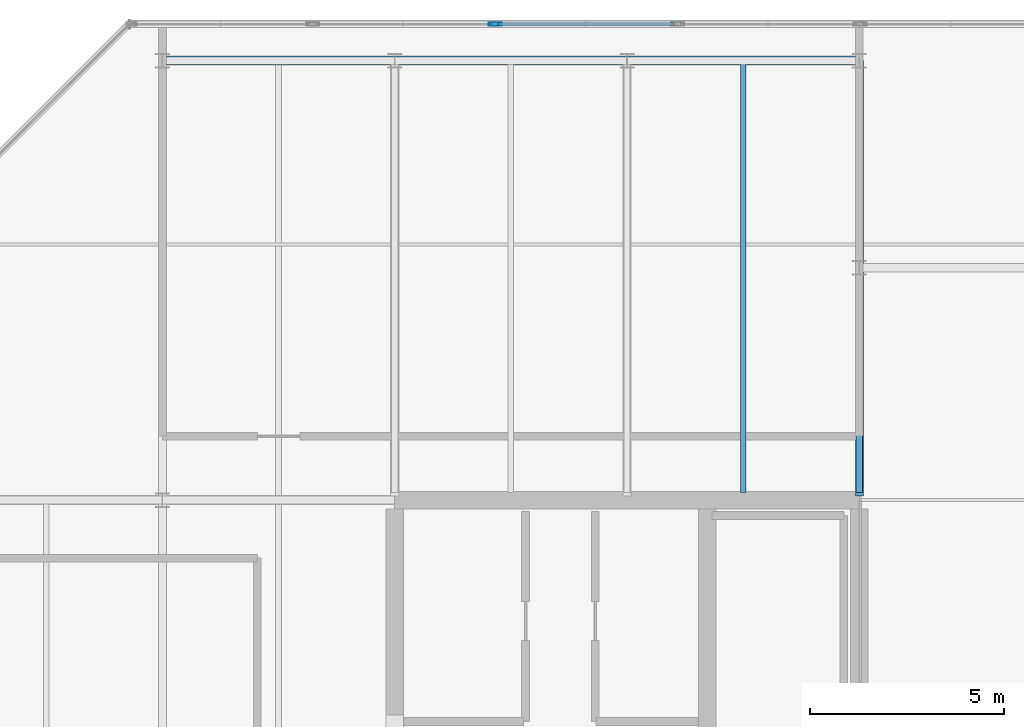
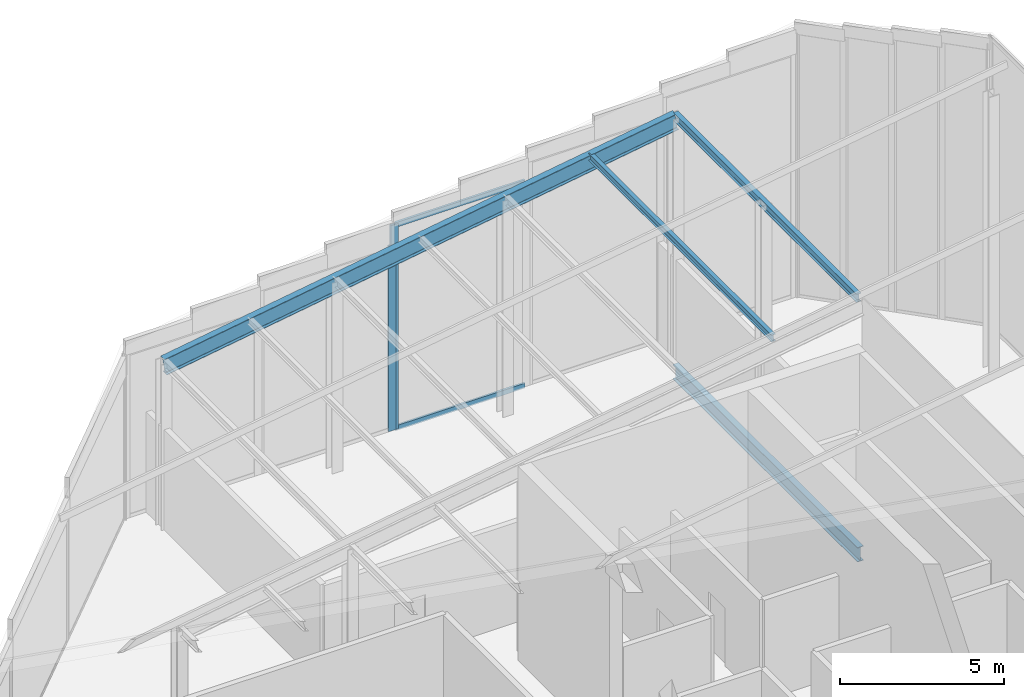
# One storey, part 18 of 30: 6 members, 2 beams, 2 elements without a shape of their own.
"""IFC4 building model written with IfcOpenShell, lengths in metres."""

from ifc_helpers import new_model, si_unit, direction, frame, origin, origin_2d, place, context, subcontext, project, spatial, hollow_rectangle, i_section, extrude, material, layer, layer_set, material_profile, profile_set, type_object, element, aggregate, save


model = new_model("IFC4")

# Units and contexts
model_context = context("Model", 3, precision=1e-05, world=origin(), true_north=direction((0.0, 1.0)))
body_context = subcontext(model_context, "Body", "Model", "MODEL_VIEW")
ifc_project = project(units=[si_unit("LENGTHUNIT", "METRE"), si_unit("AREAUNIT", "SQUARE_METRE"), si_unit("VOLUMEUNIT", "CUBIC_METRE"), si_unit("PLANEANGLEUNIT", "RADIAN"), si_unit("MASSUNIT", "GRAM", prefix="KILO")], contexts=[model_context])

# Site, building, storey
site_placement = place(None, origin())
site = spatial("IfcSite", under=ifc_project, at=site_placement, CompositionType="ELEMENT")
building_placement = place(site_placement, origin())
building = spatial("IfcBuilding", under=site, at=building_placement, Name="Tanjung Sevakor Pilgrim Tower", CompositionType="ELEMENT")
storey_placement = place(building_placement, frame((0.0, 0.0, 287.760009765625)))
storey = spatial("IfcBuildingStorey", under=building, at=storey_placement, Name="L80", CompositionType="ELEMENT", Elevation=287.760009765625)

# Beams
ifc_material_1 = material(Name="Steel S355J2", Category="steel")
ifc_material_profile_1 = material_profile(ifc_material_1, i_section(OverallWidth=0.22900390625, OverallDepth=0.6123046875, WebThickness=0.011962890625, FlangeThickness=0.01953125, FilletRadius=0.0126953125, at=origin_2d()))
ifc_profile_set_1 = profile_set([ifc_material_profile_1], Name="Steel S355J2")
beam_type_1 = type_object("IfcBeamType", Name="BM-B-G4-UB_610x229x125", PredefinedType="BEAM", material=ifc_profile_set_1)
beam_1_placement = place(storey_placement, frame((72.0, 53.949951171875, 5.96044921875), z_axis=(0.98788088249, 0.0, 0.155213923377), x_axis=(0.0, 1.0, 0.0)))
element("IfcBeam", 1, at=beam_1_placement, inside=storey, type_object=beam_type_1, Name="L80 Sloped Crown Perimeter Raker 02", PredefinedType="BEAM", context=body_context, shape_type="SweptSolid", body=[
    extrude(i_section(OverallWidth=0.22900390625, OverallDepth=0.6123046875, WebThickness=0.011962890625, FlangeThickness=0.01953125, FilletRadius=0.0126953125, at=origin_2d()), origin(), (0.0, 0.0, 1.0), 18.220703125),
])
ifc_material_2 = material(Name="Steel S355J2", Category="steel")
ifc_material_profile_2 = material_profile(ifc_material_2, i_section(OverallWidth=0.210693359375, OverallDepth=0.53955078125, WebThickness=0.01171875, FlangeThickness=0.018798828125, FilletRadius=0.0126953125, at=origin_2d()))
ifc_profile_set_2 = profile_set([ifc_material_profile_2], Name="Steel S355J2")
beam_type_2 = type_object("IfcBeamType", Name="BM-B-G6-UB_533x210x109", PredefinedType="BEAM", material=ifc_profile_set_2)
beam_2_placement = place(storey_placement, frame((90.0, 42.7060546875, -0.52978515625), z_axis=(0.0, 1.0, 0.0), x_axis=(-1.0, 0.0, 0.0)))
element("IfcBeam", 2, at=beam_2_placement, inside=storey, type_object=beam_type_2, Name="L80 EAST Girder 010", PredefinedType="BEAM", context=body_context, shape_type="SweptSolid", body=[
    extrude(i_section(OverallWidth=0.210693359375, OverallDepth=0.53955078125, WebThickness=0.01171875, FlangeThickness=0.018798828125, FilletRadius=0.0126953125, at=origin_2d()), origin(), (0.0, 0.0, 1.0), 11.243896484375),
])

# Members
ifc_material_3 = material(Name="Steel S355J2", Category="steel")
ifc_material_profile_3 = material_profile(ifc_material_3, i_section(OverallWidth=0.165771484375, OverallDepth=0.306640625, WebThickness=0.006591796875, FlangeThickness=0.01171875, FilletRadius=0.0087890625, at=origin_2d()))
ifc_profile_set_3 = profile_set([ifc_material_profile_3], Name="Steel S355J2")
member_type_1 = type_object("IfcMemberType", Name="MEM-M-PR1-UB_305x165x46", PredefinedType="PURLIN", material=ifc_profile_set_3)
member_1_placement = place(storey_placement, frame((90.0, 42.800048828125, 8.94140625), z_axis=(0.0, 1.0, 0.0), x_axis=(-1.0, 0.0, 0.0)))
element("IfcMember", 3, at=member_1_placement, inside=storey, type_object=member_type_1, Name="L80 Crown Roof Purlin 14", PredefinedType="PURLIN", context=body_context, shape_type="SweptSolid", body=[
    extrude(i_section(OverallWidth=0.165771484375, OverallDepth=0.306640625, WebThickness=0.006591796875, FlangeThickness=0.01171875, FilletRadius=0.0087890625, at=origin_2d()), origin(), (0.0, 0.0, 1.0), 11.14990234375),
])
ifc_material_4 = material(Name="Steel S355J2", Category="steel")
ifc_material_profile_4 = material_profile(ifc_material_4, i_section(OverallWidth=0.146484375, OverallDepth=0.256103515625, WebThickness=0.00634765625, FlangeThickness=0.010986328125, FilletRadius=0.007568359375, at=origin_2d()))
ifc_profile_set_4 = profile_set([ifc_material_profile_4], Name="Steel S355J2")
member_type_2 = type_object("IfcMemberType", Name="MEM-M-PR2-UB_254x146x37", PredefinedType="PURLIN", material=ifc_profile_set_4)
member_2_placement = place(storey_placement, frame((87.0, 42.800048828125, 8.4951171875), z_axis=(0.0, 1.0, 0.0), x_axis=(-1.0, 0.0, 0.0)))
element("IfcMember", 4, at=member_2_placement, inside=storey, type_object=member_type_2, Name="L80 Crown Roof Purlin 12", PredefinedType="PURLIN", context=body_context, shape_type="SweptSolid", body=[
    extrude(i_section(OverallWidth=0.146484375, OverallDepth=0.256103515625, WebThickness=0.00634765625, FlangeThickness=0.010986328125, FilletRadius=0.007568359375, at=origin_2d()), origin(), (0.0, 0.0, 1.0), 11.14990234375),
])

# Curtain wall, member
ifc_material_5 = material(Name="Aluminium 6063-T6 and Low-E Glass", Category="aluminium")
ifc_layer = layer(ifc_material_5, 0.219970703125)
ifc_layer_set = layer_set([ifc_layer], Name="CW-SYS-CRNE")
curtain_wall_type = type_object("IfcCurtainWallType", Name="CW-SYS-CRNE", PredefinedType="NOTDEFINED", material=ifc_layer_set)
curtain_wall_1_placement = place(storey_placement, origin())
curtain_wall_1 = element("IfcCurtainWall", 5, at=curtain_wall_1_placement, inside=storey, type_object=curtain_wall_type, Name="L80 Curtain Wall CW-CRN-L80-EAST-4-1B3", PredefinedType="NOTDEFINED")
ifc_material_6 = material(Name="Aluminium 6063-T6", Category="aluminium")
ifc_material_profile_5 = material_profile(ifc_material_6, hollow_rectangle(XDim=0.080078125, YDim=0.260009765625, WallThickness=0.0048828125, at=origin_2d()))
ifc_profile_set_5 = profile_set([ifc_material_profile_5], Name="Aluminium 6063-T6")
member_type_3 = type_object("IfcMemberType", Name="TYPE-CWM-3", PredefinedType="MULLION", material=ifc_profile_set_5)
member_3_placement = place(storey_placement, frame((80.633056640625, 54.889892578125, 0.0), z_axis=(0.0, 0.0, 1.0), x_axis=(0.0, -1.0, 0.0)))
member_3 = element("IfcMember", 6, at=member_3_placement, type_object=member_type_3, Name="CW-CRE mullion 2", PredefinedType="MULLION", context=body_context, shape_type="SweptSolid", body=[
    extrude(hollow_rectangle(XDim=0.080078125, YDim=0.260009765625, WallThickness=0.0048828125, at=origin_2d()), origin(), (0.0, 0.0, 1.0), 7.636474609375),
])

curtain_wall_2_placement = place(storey_placement, origin())
curtain_wall_2 = element("IfcCurtainWall", 7, at=curtain_wall_2_placement, inside=storey, type_object=curtain_wall_type, Name="L80 Curtain Wall CW-CRN-L80-EAST-4-1B4", PredefinedType="NOTDEFINED")
member_4_placement = place(storey_placement, frame((80.552978515625, 54.889892578125, 0.0), z_axis=(0.0, 0.0, 1.0), x_axis=(0.0, -1.0, 0.0)))
member_4 = element("IfcMember", 8, at=member_4_placement, type_object=member_type_3, Name="CW-CRE mullion 1", PredefinedType="MULLION", context=body_context, shape_type="SweptSolid", body=[
    extrude(hollow_rectangle(XDim=0.080078125, YDim=0.260009765625, WallThickness=0.0048828125, at=origin_2d()), origin(), (0.0, 0.0, 1.0), 6.89599609375),
])
aggregate(curtain_wall_2, [member_4])

# Member
ifc_material_7 = material(Name="Aluminium 6063-T6", Category="aluminium")
ifc_material_profile_6 = material_profile(ifc_material_7, hollow_rectangle(XDim=0.080078125, YDim=0.179931640625, WallThickness=0.0048828125, at=origin_2d()))
ifc_profile_set_6 = profile_set([ifc_material_profile_6], Name="Aluminium 6063-T6")
member_type_4 = type_object("IfcMemberType", Name="TYPE-CWT-3", PredefinedType="USERDEFINED", material=ifc_profile_set_6)
member_5_placement = place(storey_placement, frame((85.226806640625, 54.889892578125, 0.0400390625), z_axis=(-1.0, 0.0, 0.0), x_axis=(0.0, -1.0, 0.0)))
member_5 = element("IfcMember", 9, at=member_5_placement, type_object=member_type_4, Name="CW-CRE transom 1.1", ObjectType="TRANSOM", PredefinedType="USERDEFINED", context=body_context, shape_type="SweptSolid", body=[
    extrude(hollow_rectangle(XDim=0.080078125, YDim=0.179931640625, WallThickness=0.0048828125, at=origin_2d()), origin(), (0.0, 0.0, 1.0), 4.5537109375),
])

member_6_placement = place(storey_placement, frame((85.226806640625, 54.889892578125, 7.5966796875), z_axis=(-1.0, 0.0, 0.0), x_axis=(0.0, -1.0, 0.0)))
member_6 = element("IfcMember", 10, at=member_6_placement, type_object=member_type_4, Name="CW-CRE transom 1.2", ObjectType="TRANSOM", PredefinedType="USERDEFINED", context=body_context, shape_type="SweptSolid", body=[
    extrude(hollow_rectangle(XDim=0.080078125, YDim=0.179931640625, WallThickness=0.0048828125, at=origin_2d()), origin(), (0.0, 0.0, 1.0), 4.5537109375),
])

aggregate(curtain_wall_1, [member_3, member_5, member_6])

save(model, "model.ifc")
